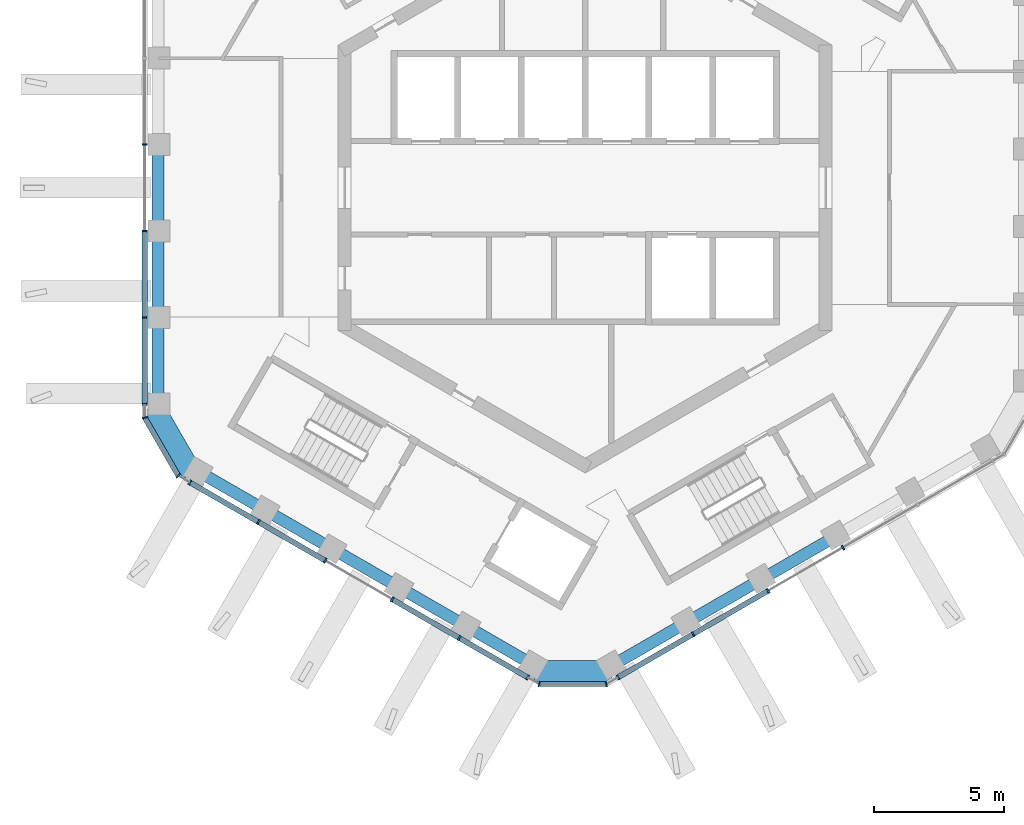
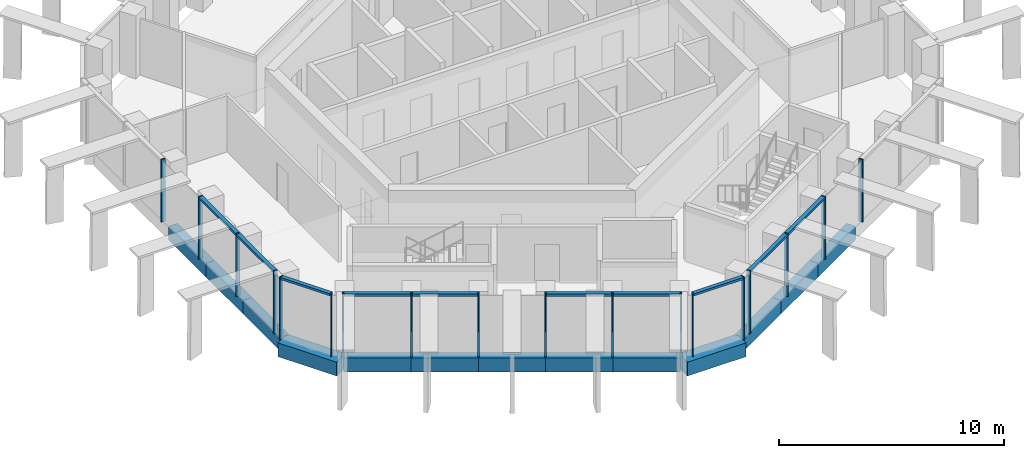
# One storey, part 2 of 17: 24 members, 13 beams, 5 elements without a shape of their own.
"""IFC4 building model written with IfcOpenShell, lengths in metres."""

from ifc_helpers import new_model, si_unit, direction, frame, origin, origin_2d, place, context, subcontext, project, spatial, rectangle, extrude, material, layer, layer_set, material_profile, profile_set, type_object, element, aggregate, save


model = new_model("IFC4")

# Units and contexts
model_context = context("Model", 3, precision=1e-05, world=origin(), true_north=direction((0.0, 1.0)))
body_context = subcontext(model_context, "Body", "Model", "MODEL_VIEW")
ifc_project = project(units=[si_unit("LENGTHUNIT", "METRE"), si_unit("AREAUNIT", "SQUARE_METRE"), si_unit("VOLUMEUNIT", "CUBIC_METRE"), si_unit("PLANEANGLEUNIT", "RADIAN"), si_unit("MASSUNIT", "GRAM", prefix="KILO")], contexts=[model_context])

# Site, building, storey
site_placement = place(None, origin())
site = spatial("IfcSite", under=ifc_project, at=site_placement, CompositionType="ELEMENT")
building_placement = place(site_placement, origin())
building = spatial("IfcBuilding", under=site, at=building_placement, Name="Ayvan Gate Tower", CompositionType="ELEMENT")
storey_placement = place(building_placement, frame((0.0, 0.0, 246.10009765625)))
storey = spatial("IfcBuildingStorey", under=building, at=storey_placement, Name="L66", CompositionType="ELEMENT", Elevation=246.10009765625)

# Beams
ifc_material_1 = material(Name="Concrete C40/50", Category="concrete")
ifc_material_profile_1 = material_profile(ifc_material_1, rectangle(XDim=0.800048828125, YDim=0.75, at=origin_2d()), Name="RC 800x750")
ifc_profile_set_1 = profile_set([ifc_material_profile_1], Name="Concrete C40/50")
beam_type_1 = type_object("IfcBeamType", Name="Corner spandrel beam RC 800x750 C40/50", PredefinedType="BEAM", material=ifc_profile_set_1)
for number, where, z_axis, x_axis, name in (
    (1, (-16.615966796875, -8.394775390625, -0.72509765625), (0.499990139034, -0.866031096941, 0.0), (0.866031096941, 0.499990139034, 0.0), "SB-L66-24"),
    (2, (-1.962158203125, -18.587158203125, -0.72509765625), (1.0, 0.0, 0.0), (0.0, 1.0, 0.0), "SB-L66-30"),
):
    element("IfcBeam", number, at=place(storey_placement, frame(where, z_axis=z_axis, x_axis=x_axis)), inside=storey, type_object=beam_type_1, Name=name, PredefinedType="BEAM", context=body_context, shape_type="SweptSolid", body=[
        extrude(rectangle(XDim=0.800048828125, YDim=0.75, at=origin_2d()), origin(), (0.0, 0.0, 1.0), 3.0),
    ])
ifc_material_profile_2 = material_profile(ifc_material_1, rectangle(XDim=0.449951171875, YDim=0.75, at=origin_2d()), Name="RC 450x750")
ifc_profile_set_2 = profile_set([ifc_material_profile_2], Name="Concrete C40/50")
beam_type_2 = type_object("IfcBeamType", Name="Spandrel beam RC 450x750 C40/50", PredefinedType="BEAM", material=ifc_profile_set_2)
for number, where, z_axis, x_axis, name in (
    (3, (-16.42529296875, 1.656982421875, -0.72509765625), (0.0, -1.0, 0.0), (1.0, 0.0, 0.0), "SB-L66-21"),
    (4, (-16.42529296875, -1.656982421875, -0.72509765625), (0.0, -1.0, 0.0), (1.0, 0.0, 0.0), "SB-L66-22"),
):
    element("IfcBeam", number, at=place(storey_placement, frame(where, z_axis=z_axis, x_axis=x_axis)), inside=storey, type_object=beam_type_2, Name=name, PredefinedType="BEAM", context=body_context, shape_type="SweptSolid", body=[
        extrude(rectangle(XDim=0.449951171875, YDim=0.75, at=origin_2d()), origin(), (0.0, 0.0, 1.0), 3.31396484375),
    ])
beam_1_placement = place(storey_placement, frame((-16.42529296875, -4.970947265625, -0.72509765625), z_axis=(0.0, -1.0, 0.0), x_axis=(1.0, 0.0, 0.0)))
element("IfcBeam", 5, at=beam_1_placement, inside=storey, type_object=beam_type_2, Name="SB-L66-23", PredefinedType="BEAM", context=body_context, shape_type="SweptSolid", body=[
    extrude(rectangle(XDim=0.449951171875, YDim=0.75, at=origin_2d()), origin(), (0.0, 0.0, 1.0), 3.313720703125),
])
beam_2_placement = place(storey_placement, frame((-14.92529296875, -10.8828125, -0.72509765625), z_axis=(0.866021254674, -0.500007186402, 0.0), x_axis=(0.500007186402, 0.866021254674, 0.0)))
element("IfcBeam", 6, at=beam_2_placement, inside=storey, type_object=beam_type_2, Name="SB-L66-25", PredefinedType="BEAM", context=body_context, shape_type="SweptSolid", body=[
    extrude(rectangle(XDim=0.449951171875, YDim=0.75, at=origin_2d()), origin(), (0.0, 0.0, 1.0), 2.99365234375),
])
beam_3_placement = place(storey_placement, frame((-12.332763671875, -12.379638671875, -0.72509765625), z_axis=(0.866041641584, -0.499971874252, 0.0), x_axis=(0.499971874252, 0.866041641584, 0.0)))
element("IfcBeam", 7, at=beam_3_placement, inside=storey, type_object=beam_type_2, Name="SB-L66-26", PredefinedType="BEAM", context=body_context, shape_type="SweptSolid", body=[
    extrude(rectangle(XDim=0.449951171875, YDim=0.75, at=origin_2d()), origin(), (0.0, 0.0, 1.0), 2.993896484375),
])
beam_4_placement = place(storey_placement, frame((-9.739990234375, -13.87646484375, -0.72509765625), z_axis=(0.865985939725, -0.500068347527, 0.0), x_axis=(0.500068347527, 0.865985939725, 0.0)))
element("IfcBeam", 8, at=beam_4_placement, inside=storey, type_object=beam_type_2, Name="SB-L66-27", PredefinedType="BEAM", context=body_context, shape_type="SweptSolid", body=[
    extrude(rectangle(XDim=0.449951171875, YDim=0.75, at=origin_2d()), origin(), (0.0, 0.0, 1.0), 2.99365234375),
])
beam_5_placement = place(storey_placement, frame((-7.1474609375, -15.37353515625, -0.72509765625), z_axis=(0.866041641584, -0.499971874252, 0.0), x_axis=(0.499971874252, 0.866041641584, 0.0)))
element("IfcBeam", 9, at=beam_5_placement, inside=storey, type_object=beam_type_2, Name="SB-L66-28", PredefinedType="BEAM", context=body_context, shape_type="SweptSolid", body=[
    extrude(rectangle(XDim=0.449951171875, YDim=0.75, at=origin_2d()), origin(), (0.0, 0.0, 1.0), 2.993896484375),
])
beam_6_placement = place(storey_placement, frame((-4.5546875, -16.870361328125, -0.72509765625), z_axis=(0.866021254674, -0.500007186402, 0.0), x_axis=(0.500007186402, 0.866021254674, 0.0)))
element("IfcBeam", 10, at=beam_6_placement, inside=storey, type_object=beam_type_2, Name="SB-L66-29", PredefinedType="BEAM", context=body_context, shape_type="SweptSolid", body=[
    extrude(rectangle(XDim=0.449951171875, YDim=0.75, at=origin_2d()), origin(), (0.0, 0.0, 1.0), 2.99365234375),
])
for number, where, z_axis, x_axis, name in (
    (11, (1.037841796875, -18.3671875, -0.72509765625), (0.866017505439, 0.500013680086, 0.0), (-0.500013680086, 0.866017505439, 0.0), "SB-L66-31"),
    (12, (3.90771484375, -16.710205078125, -0.72509765625), (0.866035922751, 0.499981780173, 0.0), (-0.499981780173, 0.866035922751, 0.0), "SB-L66-32"),
    (13, (6.77783203125, -15.05322265625, -0.72509765625), (0.866017505439, 0.500013680086, 0.0), (-0.500013680086, 0.866017505439, 0.0), "SB-L66-33"),
):
    element("IfcBeam", number, at=place(storey_placement, frame(where, z_axis=z_axis, x_axis=x_axis)), inside=storey, type_object=beam_type_2, Name=name, PredefinedType="BEAM", context=body_context, shape_type="SweptSolid", body=[
        extrude(rectangle(XDim=0.449951171875, YDim=0.75, at=origin_2d()), origin(), (0.0, 0.0, 1.0), 3.31396484375),
    ])

# Curtain wall, members
ifc_material_2 = material(Name="Bronze anodised aluminium", Category="aluminium")
ifc_layer_1 = layer(ifc_material_2, 0.199951171875)
ifc_layer_set_1 = layer_set([ifc_layer_1], Name="Bronze anodised aluminium")
curtain_wall_type_1 = type_object("IfcCurtainWallType", Name="Stick curtain wall CW-2", PredefinedType="NOTDEFINED", material=ifc_layer_set_1)
curtain_wall_1_placement = place(storey_placement, origin())
curtain_wall_1 = element("IfcCurtainWall", 14, at=curtain_wall_1_placement, inside=storey, type_object=curtain_wall_type_1, Name="Stick curtain wall CW-2 L66", PredefinedType="NOTDEFINED")
ifc_material_profile_3 = material_profile(ifc_material_2, rectangle(XDim=0.199951171875, YDim=0.070068359375, at=origin_2d()), Name="Stick curtain wall CW-2 mullion 200 x 70")
ifc_profile_set_3 = profile_set([ifc_material_profile_3], Name="Bronze anodised aluminium")
member_type_1 = type_object("IfcMemberType", Name="Stick curtain wall CW-2 mullion 200 x 70", PredefinedType="MULLION", material=ifc_profile_set_3)
member_1_placement = place(storey_placement, frame((-16.937744140625, 1.662109375, 0.0), z_axis=(0.0, 0.0, 1.0), x_axis=(-1.0, 0.0, 0.0)))
member_1 = element("IfcMember", 15, at=member_1_placement, type_object=member_type_1, Name="CW-2 mullion 3", PredefinedType="MULLION", context=body_context, shape_type="SweptSolid", body=[
    extrude(rectangle(XDim=0.199951171875, YDim=0.070068359375, at=origin_2d()), origin(), (0.0, 0.0, 1.0), 3.39990234375),
])
member_2_placement = place(storey_placement, frame((-16.937744140625, -1.661865234375, 0.0), z_axis=(0.0, 0.0, 1.0), x_axis=(-1.0, 0.0, 0.0)))
member_2 = element("IfcMember", 16, at=member_2_placement, type_object=member_type_1, Name="CW-2 mullion 4", PredefinedType="MULLION", context=body_context, shape_type="SweptSolid", body=[
    extrude(rectangle(XDim=0.199951171875, YDim=0.070068359375, at=origin_2d()), origin(), (0.0, 0.0, 1.0), 3.39990234375),
])
member_3_placement = place(storey_placement, frame((-16.937744140625, -4.98583984375, 0.0), z_axis=(0.0, 0.0, 1.0), x_axis=(-1.0, 0.0, 0.0)))
member_3 = element("IfcMember", 17, at=member_3_placement, type_object=member_type_1, Name="CW-2 mullion 5", PredefinedType="MULLION", context=body_context, shape_type="SweptSolid", body=[
    extrude(rectangle(XDim=0.199951171875, YDim=0.070068359375, at=origin_2d()), origin(), (0.0, 0.0, 1.0), 3.39990234375),
])
member_4_placement = place(storey_placement, frame((-16.937744140625, -8.326171875, 0.0), z_axis=(0.0, 0.0, 1.0), x_axis=(-1.0, 0.0, 0.0)))
member_4 = element("IfcMember", 18, at=member_4_placement, type_object=member_type_1, Name="CW-2 mullion 6", PredefinedType="MULLION", context=body_context, shape_type="SweptSolid", body=[
    extrude(rectangle(XDim=0.199951171875, YDim=0.070068359375, at=origin_2d()), origin(), (0.0, 0.0, 1.0), 3.39990234375),
])

curtain_wall_2_placement = place(storey_placement, origin())
curtain_wall_2 = element("IfcCurtainWall", 19, at=curtain_wall_2_placement, inside=storey, type_object=curtain_wall_type_1, Name="Stick curtain wall CW-2 L66", PredefinedType="NOTDEFINED")
member_5_placement = place(storey_placement, frame((-15.204833984375, -11.32763671875, 0.0), z_axis=(0.0, 0.0, 1.0), x_axis=(-0.5, -0.866025403784, 0.0)))
member_5 = element("IfcMember", 20, at=member_5_placement, type_object=member_type_1, Name="CW-2 mullion 1", PredefinedType="MULLION", context=body_context, shape_type="SweptSolid", body=[
    extrude(rectangle(XDim=0.199951171875, YDim=0.070068359375, at=origin_2d()), origin(), (0.0, 0.0, 1.0), 3.39990234375),
])
member_6_placement = place(storey_placement, frame((-12.5693359375, -12.84912109375, 0.0), z_axis=(0.0, 0.0, 1.0), x_axis=(-0.5, -0.866025403784, 0.0)))
member_6 = element("IfcMember", 21, at=member_6_placement, type_object=member_type_1, Name="CW-2 mullion 2", PredefinedType="MULLION", context=body_context, shape_type="SweptSolid", body=[
    extrude(rectangle(XDim=0.199951171875, YDim=0.070068359375, at=origin_2d()), origin(), (0.0, 0.0, 1.0), 3.39990234375),
])
member_7_placement = place(storey_placement, frame((-9.993896484375, -14.336181640625, 0.0), z_axis=(0.0, 0.0, 1.0), x_axis=(-0.5, -0.866025403784, 0.0)))
member_7 = element("IfcMember", 22, at=member_7_placement, type_object=member_type_1, Name="CW-2 mullion 3", PredefinedType="MULLION", context=body_context, shape_type="SweptSolid", body=[
    extrude(rectangle(XDim=0.199951171875, YDim=0.070068359375, at=origin_2d()), origin(), (0.0, 0.0, 1.0), 3.39990234375),
])
member_8_placement = place(storey_placement, frame((-7.418212890625, -15.8232421875, 0.0), z_axis=(0.0, 0.0, 1.0), x_axis=(-0.5, -0.866025403784, 0.0)))
member_8 = element("IfcMember", 23, at=member_8_placement, type_object=member_type_1, Name="CW-2 mullion 4", PredefinedType="MULLION", context=body_context, shape_type="SweptSolid", body=[
    extrude(rectangle(XDim=0.199951171875, YDim=0.070068359375, at=origin_2d()), origin(), (0.0, 0.0, 1.0), 3.39990234375),
])
member_9_placement = place(storey_placement, frame((-4.8427734375, -17.310302734375, 0.0), z_axis=(0.0, 0.0, 1.0), x_axis=(-0.5, -0.866025403784, 0.0)))
member_9 = element("IfcMember", 24, at=member_9_placement, type_object=member_type_1, Name="CW-2 mullion 5", PredefinedType="MULLION", context=body_context, shape_type="SweptSolid", body=[
    extrude(rectangle(XDim=0.199951171875, YDim=0.070068359375, at=origin_2d()), origin(), (0.0, 0.0, 1.0), 3.39990234375),
])
member_10_placement = place(storey_placement, frame((-2.207763671875, -18.83154296875, 0.0), z_axis=(0.0, 0.0, 1.0), x_axis=(-0.5, -0.866025403784, 0.0)))
member_10 = element("IfcMember", 25, at=member_10_placement, type_object=member_type_1, Name="CW-2 mullion 6", PredefinedType="MULLION", context=body_context, shape_type="SweptSolid", body=[
    extrude(rectangle(XDim=0.199951171875, YDim=0.070068359375, at=origin_2d()), origin(), (0.0, 0.0, 1.0), 3.39990234375),
])

curtain_wall_3_placement = place(storey_placement, origin())
curtain_wall_3 = element("IfcCurtainWall", 26, at=curtain_wall_3_placement, inside=storey, type_object=curtain_wall_type_1, Name="Stick curtain wall CW-2 L66", PredefinedType="NOTDEFINED")
member_11_placement = place(storey_placement, frame((1.258056640625, -18.83154296875, 0.0), z_axis=(0.0, 0.0, 1.0), x_axis=(0.5, -0.866025403784, 0.0)))
member_11 = element("IfcMember", 27, at=member_11_placement, type_object=member_type_1, Name="CW-2 mullion 1", PredefinedType="MULLION", context=body_context, shape_type="SweptSolid", body=[
    extrude(rectangle(XDim=0.199951171875, YDim=0.070068359375, at=origin_2d()), origin(), (0.0, 0.0, 1.0), 3.39990234375),
])
member_12_placement = place(storey_placement, frame((4.151611328125, -17.1611328125, 0.0), z_axis=(0.0, 0.0, 1.0), x_axis=(0.5, -0.866025403784, 0.0)))
member_12 = element("IfcMember", 28, at=member_12_placement, type_object=member_type_1, Name="CW-2 mullion 2", PredefinedType="MULLION", context=body_context, shape_type="SweptSolid", body=[
    extrude(rectangle(XDim=0.199951171875, YDim=0.070068359375, at=origin_2d()), origin(), (0.0, 0.0, 1.0), 3.39990234375),
])
member_13_placement = place(storey_placement, frame((7.029296875, -15.49951171875, 0.0), z_axis=(0.0, 0.0, 1.0), x_axis=(0.5, -0.866025403784, 0.0)))
member_13 = element("IfcMember", 29, at=member_13_placement, type_object=member_type_1, Name="CW-2 mullion 3", PredefinedType="MULLION", context=body_context, shape_type="SweptSolid", body=[
    extrude(rectangle(XDim=0.199951171875, YDim=0.070068359375, at=origin_2d()), origin(), (0.0, 0.0, 1.0), 3.39990234375),
])
member_14_placement = place(storey_placement, frame((9.907958984375, -13.837646484375, 0.0), z_axis=(0.0, 0.0, 1.0), x_axis=(0.5, -0.866025403784, 0.0)))
member_14 = element("IfcMember", 30, at=member_14_placement, type_object=member_type_1, Name="CW-2 mullion 4", PredefinedType="MULLION", context=body_context, shape_type="SweptSolid", body=[
    extrude(rectangle(XDim=0.199951171875, YDim=0.070068359375, at=origin_2d()), origin(), (0.0, 0.0, 1.0), 3.39990234375),
])

# Member
ifc_material_profile_4 = material_profile(ifc_material_2, rectangle(XDim=0.199951171875, YDim=0.1201171875, at=origin_2d()), Name="Stick curtain wall CW-2 transom 200 x 120")
ifc_profile_set_4 = profile_set([ifc_material_profile_4], Name="Bronze anodised aluminium")
member_type_2 = type_object("IfcMemberType", Name="Stick curtain wall CW-2 transom 200 x 120", PredefinedType="USERDEFINED", material=ifc_profile_set_4)
member_15_placement = place(storey_placement, frame((-16.937744140625, -1.69677734375, 3.33984375), z_axis=(0.0, -1.0, 0.0), x_axis=(1.0, 0.0, 0.0)))
member_15 = element("IfcMember", 31, at=member_15_placement, type_object=member_type_2, Name="CW-2 transom 2", ObjectType="TRANSOM", PredefinedType="USERDEFINED", context=body_context, shape_type="SweptSolid", body=[
    extrude(rectangle(XDim=0.199951171875, YDim=0.1201171875, at=origin_2d()), origin(), (0.0, 0.0, 1.0), 6.62939453125),
])

aggregate(curtain_wall_1, [member_1, member_2, member_3, member_4, member_15])

member_16_placement = place(storey_placement, frame((-15.204833984375, -11.32763671875, 3.33984375), z_axis=(0.866014318279, -0.500019200167, 0.0), x_axis=(0.500019200167, 0.866014318279, 0.0)))
member_16 = element("IfcMember", 32, at=member_16_placement, type_object=member_type_2, Name="CW-2 transom 1", ObjectType="TRANSOM", PredefinedType="USERDEFINED", context=body_context, shape_type="SweptSolid", body=[
    extrude(rectangle(XDim=0.199951171875, YDim=0.1201171875, at=origin_2d()), origin(), (0.0, 0.0, 1.0), 5.982177734375),
])

member_17_placement = place(storey_placement, frame((-7.387939453125, -15.8408203125, 3.33984375), z_axis=(0.866029256843, -0.499993326248, 0.0), x_axis=(0.499993326248, 0.866029256843, 0.0)))
member_17 = element("IfcMember", 33, at=member_17_placement, type_object=member_type_2, Name="CW-2 transom 2", ObjectType="TRANSOM", PredefinedType="USERDEFINED", context=body_context, shape_type="SweptSolid", body=[
    extrude(rectangle(XDim=0.199951171875, YDim=0.1201171875, at=origin_2d()), origin(), (0.0, 0.0, 1.0), 5.9814453125),
])

aggregate(curtain_wall_2, [member_5, member_6, member_7, member_8, member_9, member_10, member_16, member_17])

member_18_placement = place(storey_placement, frame((1.258056640625, -18.83154296875, 3.33984375), z_axis=(0.866031648393, 0.499989183865, 0.0), x_axis=(-0.499989183865, 0.866031648393, 0.0)))
member_18 = element("IfcMember", 34, at=member_18_placement, type_object=member_type_2, Name="CW-2 transom 1", ObjectType="TRANSOM", PredefinedType="USERDEFINED", context=body_context, shape_type="SweptSolid", body=[
    extrude(rectangle(XDim=0.199951171875, YDim=0.1201171875, at=origin_2d()), origin(), (0.0, 0.0, 1.0), 6.629150390625),
])

aggregate(curtain_wall_3, [member_11, member_12, member_13, member_14, member_18])

# Curtain wall, members
ifc_layer_2 = layer(ifc_material_2, 0.199951171875)
ifc_layer_set_2 = layer_set([ifc_layer_2], Name="Bronze anodised aluminium")
curtain_wall_type_2 = type_object("IfcCurtainWallType", Name="Stick curtain wall CW-6", PredefinedType="NOTDEFINED", material=ifc_layer_set_2)
curtain_wall_4_placement = place(storey_placement, origin())
curtain_wall_4 = element("IfcCurtainWall", 35, at=curtain_wall_4_placement, inside=storey, type_object=curtain_wall_type_2, Name="Stick curtain wall CW-6 L66", PredefinedType="NOTDEFINED")
ifc_material_profile_5 = material_profile(ifc_material_2, rectangle(XDim=0.199951171875, YDim=0.050048828125, at=origin_2d()), Name="Stick curtain wall CW-6 mullion 200 x 50")
ifc_profile_set_5 = profile_set([ifc_material_profile_5], Name="Bronze anodised aluminium")
member_type_3 = type_object("IfcMemberType", Name="Stick curtain wall CW-6 mullion 200 x 50", PredefinedType="MULLION", material=ifc_profile_set_5)
member_19_placement = place(storey_placement, frame((-16.937744140625, -8.836181640625, 0.0), z_axis=(0.0, 0.0, 1.0), x_axis=(-0.965925826289, -0.258819045103, 0.0)))
member_19 = element("IfcMember", 36, at=member_19_placement, type_object=member_type_3, Name="CW-6 mullion 2", PredefinedType="MULLION", context=body_context, shape_type="SweptSolid", body=[
    extrude(rectangle(XDim=0.199951171875, YDim=0.050048828125, at=origin_2d()), origin(), (0.0, 0.0, 1.0), 3.39990234375),
])
member_20_placement = place(storey_placement, frame((-15.646484375, -11.07275390625, 0.0), z_axis=(0.0, 0.0, 1.0), x_axis=(-0.707106781187, -0.707106781187, 0.0)))
member_20 = element("IfcMember", 37, at=member_20_placement, type_object=member_type_3, Name="CW-6 mullion 3", PredefinedType="MULLION", context=body_context, shape_type="SweptSolid", body=[
    extrude(rectangle(XDim=0.199951171875, YDim=0.050048828125, at=origin_2d()), origin(), (0.0, 0.0, 1.0), 3.39990234375),
])

curtain_wall_5_placement = place(storey_placement, origin())
curtain_wall_5 = element("IfcCurtainWall", 38, at=curtain_wall_5_placement, inside=storey, type_object=curtain_wall_type_2, Name="Stick curtain wall CW-6 L66", PredefinedType="NOTDEFINED")
member_21_placement = place(storey_placement, frame((-1.76611328125, -19.086669921875, 0.0), z_axis=(0.0, 0.0, 1.0), x_axis=(-0.258819045103, -0.965925826289, 0.0)))
member_21 = element("IfcMember", 39, at=member_21_placement, type_object=member_type_3, Name="CW-6 mullion 2", PredefinedType="MULLION", context=body_context, shape_type="SweptSolid", body=[
    extrude(rectangle(XDim=0.199951171875, YDim=0.050048828125, at=origin_2d()), origin(), (0.0, 0.0, 1.0), 3.39990234375),
])
member_22_placement = place(storey_placement, frame((0.81640625, -19.086669921875, 0.0), z_axis=(0.0, 0.0, 1.0), x_axis=(0.258819045103, -0.965925826289, 0.0)))
member_22 = element("IfcMember", 40, at=member_22_placement, type_object=member_type_3, Name="CW-6 mullion 3", PredefinedType="MULLION", context=body_context, shape_type="SweptSolid", body=[
    extrude(rectangle(XDim=0.199951171875, YDim=0.050048828125, at=origin_2d()), origin(), (0.0, 0.0, 1.0), 3.39990234375),
])

# Member
ifc_material_profile_6 = material_profile(ifc_material_2, rectangle(XDim=0.199951171875, YDim=0.1201171875, at=origin_2d()), Name="Stick curtain wall CW-6 transom 200 x 120")
ifc_profile_set_6 = profile_set([ifc_material_profile_6], Name="Bronze anodised aluminium")
member_type_4 = type_object("IfcMemberType", Name="Stick curtain wall CW-6 transom 200 x 120", PredefinedType="USERDEFINED", material=ifc_profile_set_6)
member_23_placement = place(storey_placement, frame((-16.92529296875, -8.85791015625, 3.33984375), z_axis=(0.500047902311, -0.865997745606, 0.0), x_axis=(0.865997745606, 0.500047902311, 0.0)))
member_23 = element("IfcMember", 41, at=member_23_placement, type_object=member_type_4, Name="CW-6 transom 2", ObjectType="TRANSOM", PredefinedType="USERDEFINED", context=body_context, shape_type="SweptSolid", body=[
    extrude(rectangle(XDim=0.199951171875, YDim=0.1201171875, at=origin_2d()), origin(), (0.0, 0.0, 1.0), 2.532470703125),
])

aggregate(curtain_wall_4, [member_19, member_20, member_23])

member_24_placement = place(storey_placement, frame((-1.740966796875, -19.086669921875, 3.33984375), z_axis=(1.0, 0.0, 0.0), x_axis=(0.0, 1.0, 0.0)))
member_24 = element("IfcMember", 42, at=member_24_placement, type_object=member_type_4, Name="CW-6 transom 1", ObjectType="TRANSOM", PredefinedType="USERDEFINED", context=body_context, shape_type="SweptSolid", body=[
    extrude(rectangle(XDim=0.199951171875, YDim=0.1201171875, at=origin_2d()), origin(), (0.0, 0.0, 1.0), 2.532470703125),
])

aggregate(curtain_wall_5, [member_21, member_22, member_24])

save(model, "model.ifc")
